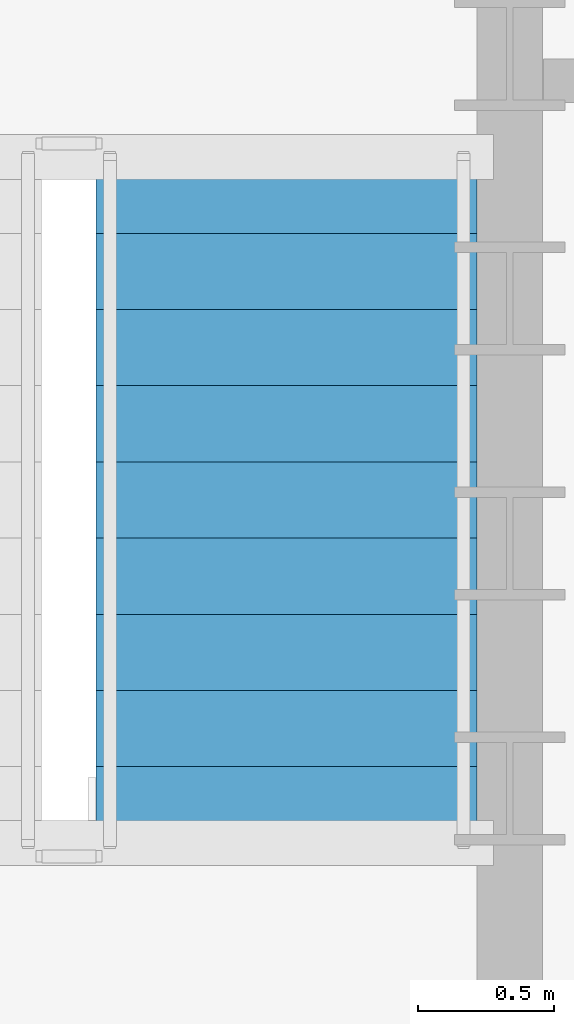
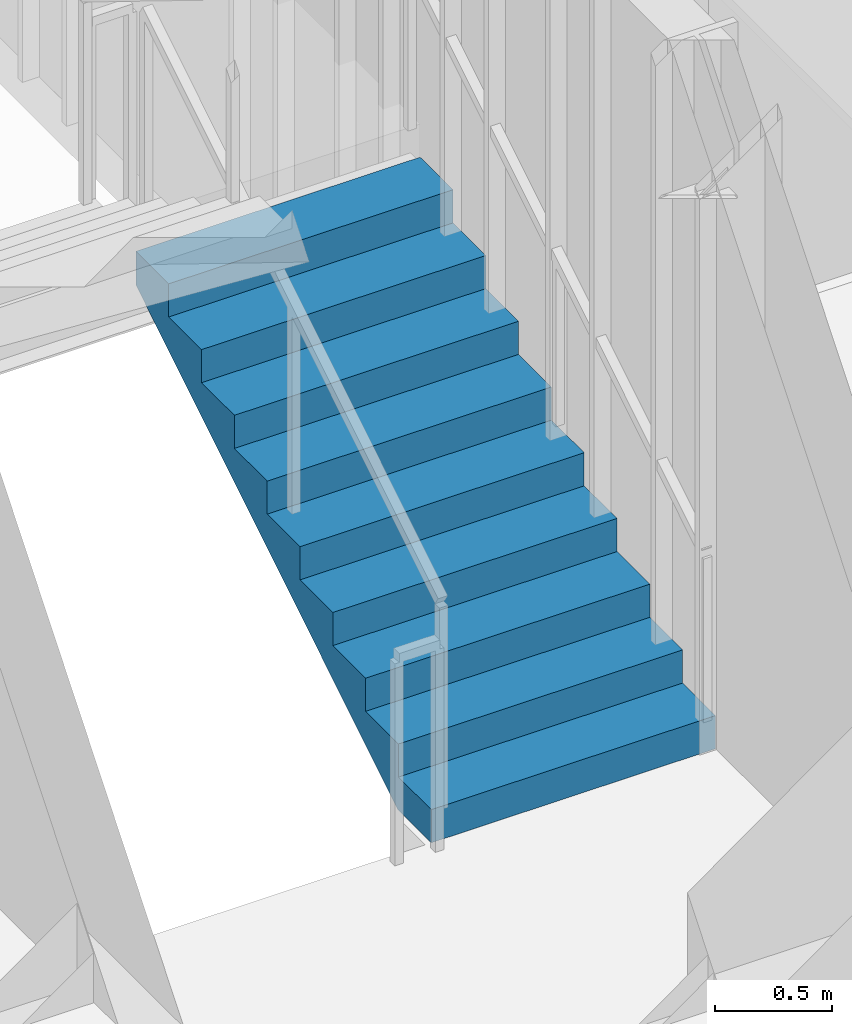
# One storey, part 6 of 10: 1 stair flight, 1 element without a shape of its own.
"""IFC4 building model written with IfcOpenShell, lengths in metres."""

from ifc_helpers import new_model, si_unit, direction, frame, origin, place, context, subcontext, project, spatial, polyline, outline, extrude, material, type_object, element, aggregate, save


model = new_model("IFC4")

# Units and contexts
model_context = context("Model", 3, precision=1e-05, world=origin(), true_north=direction((0.0, 1.0)))
body_context = subcontext(model_context, "Body", "Model", "MODEL_VIEW")
ifc_project = project(units=[si_unit("LENGTHUNIT", "METRE"), si_unit("AREAUNIT", "SQUARE_METRE"), si_unit("VOLUMEUNIT", "CUBIC_METRE"), si_unit("PLANEANGLEUNIT", "RADIAN"), si_unit("MASSUNIT", "GRAM", prefix="KILO")], contexts=[model_context])

# Site, building, storey
site_placement = place(None, origin())
site = spatial("IfcSite", under=ifc_project, at=site_placement, CompositionType="ELEMENT")
building_placement = place(site_placement, origin())
building = spatial("IfcBuilding", under=site, at=building_placement, Name="Haldorwick Loom Tower", CompositionType="ELEMENT")
storey_placement = place(building_placement, frame((0.0, 0.0, 255.75)))
storey = spatial("IfcBuildingStorey", under=building, at=storey_placement, Name="L69", CompositionType="ELEMENT", Elevation=255.75)

# Stair, stair flight
ifc_material = material(Name="Concrete C40 (40 MPa)", Category="concrete")
stair_type = type_object("IfcStairType", Name="STR-STR-CORE", PredefinedType="HALF_TURN_STAIR", material=ifc_material)
stair_placement = place(storey_placement, origin())
stair = element("IfcStair", 1, at=stair_placement, inside=storey, type_object=stair_type, Name="L69 Exit Stair ST-02", PredefinedType="HALF_TURN_STAIR")
stair_flight_type = type_object("IfcStairFlightType", Name="STR-STF-1250", PredefinedType="STRAIGHT", material=ifc_material)
stair_flight_placement = place(storey_placement, frame((49.25, 28.39990234375, 0.0), z_axis=(0.0, 0.0, 1.0), x_axis=(0.0, 1.0, 0.0)))
stair_flight = element("IfcStairFlight", 2, at=stair_flight_placement, type_object=stair_flight_type, Name="ST-02 flight 1", NumberOfRisers=10, NumberOfTreads=9, PredefinedType="STRAIGHT", RiserHeight=0.1725, TreadLength=0.28, context=body_context, shape_type="SweptSolid", body=[
    extrude(outline(polyline([(0.0, 0.0), (0.0, 0.172607421875), (0.280029296875, 0.172607421875), (0.280029296875, 0.344970703125), (0.56005859375, 0.344970703125), (0.56005859375, 0.517578125), (0.840087890625, 0.517578125), (0.840087890625, 0.68994140625), (1.1201171875, 0.68994140625), (1.1201171875, 0.862548828125), (1.39990234375, 0.862548828125), (1.39990234375, 1.034912109375), (1.679931640625, 1.034912109375), (1.679931640625, 1.20751953125), (1.9599609375, 1.20751953125), (1.9599609375, 1.3798828125), (2.239990234375, 1.3798828125), (2.239990234375, 1.552490234375), (2.52001953125, 1.552490234375), (2.52001953125, 1.72509765625), (2.52001953125, 1.37646484375), (0.285888671875, 0.0), (0.0, 0.0)])), frame((0.0, 0.699951171875, 0.0), z_axis=(0.0, -1.0, 0.0), x_axis=(1.0, 0.0, 0.0)), (0.0, 0.0, 1.0), 1.39990234375),
])
aggregate(stair, [stair_flight])

save(model, "model.ifc")
